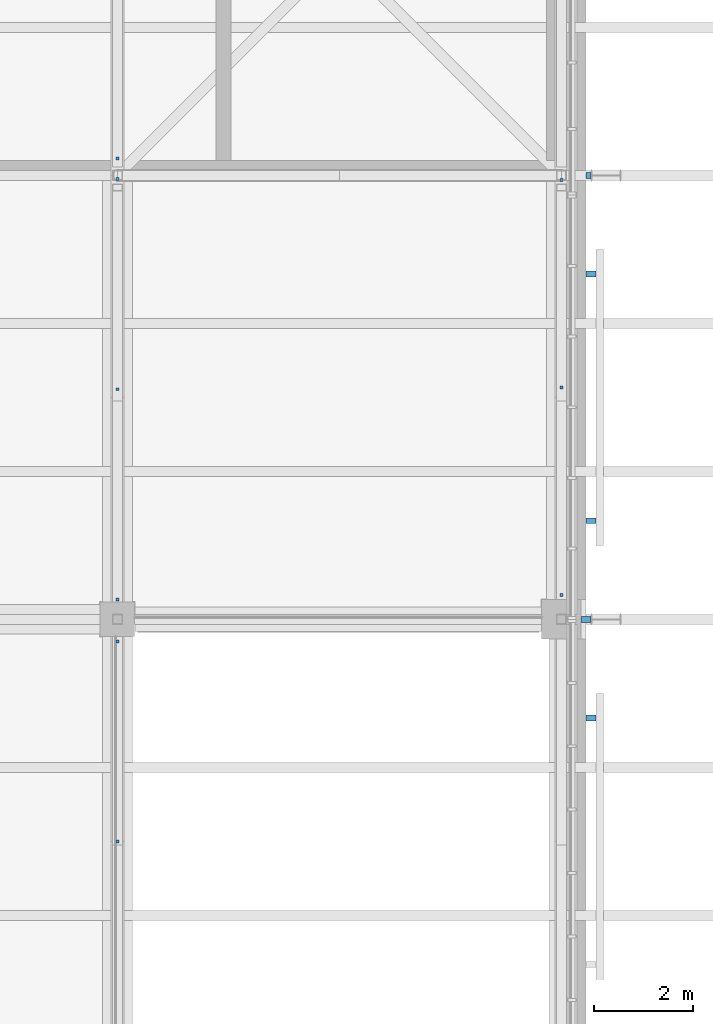
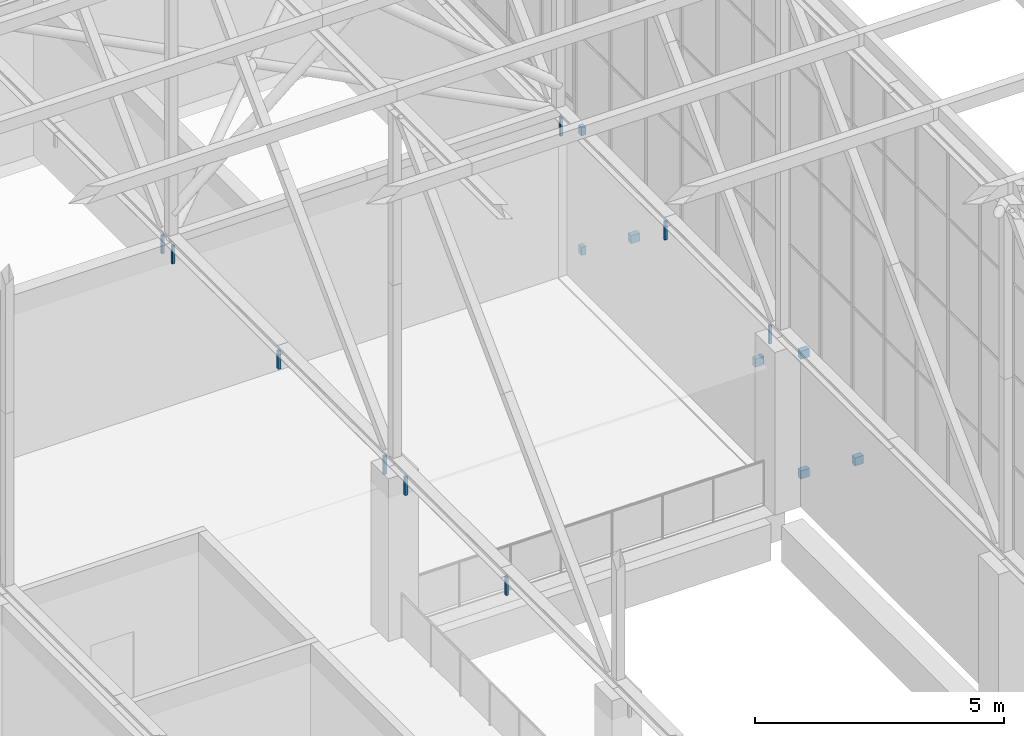
# One storey, part 226 of 646: 16 discrete accessories.
"""IFC4 building model written with IfcOpenShell, lengths in metres."""

from ifc_helpers import new_model, si_unit, direction, frame, origin, origin_2d, place, context, subcontext, project, spatial, rectangle, extrude, material, type_object, element, save


model = new_model("IFC4")

# Units and contexts
model_context = context("Model", 3, precision=1e-05, world=origin(), true_north=direction((0.0, 1.0)))
body_context = subcontext(model_context, "Body", "Model", "MODEL_VIEW")
ifc_project = project(units=[si_unit("LENGTHUNIT", "METRE"), si_unit("AREAUNIT", "SQUARE_METRE"), si_unit("VOLUMEUNIT", "CUBIC_METRE"), si_unit("PLANEANGLEUNIT", "RADIAN"), si_unit("MASSUNIT", "GRAM", prefix="KILO")], contexts=[model_context])

# Site, building, storey
site_placement = place(None, origin())
site = spatial("IfcSite", under=ifc_project, at=site_placement, CompositionType="ELEMENT")
building_placement = place(site_placement, origin())
building = spatial("IfcBuilding", under=site, at=building_placement, Name="Silverbay Arena", CompositionType="ELEMENT")
storey_placement = place(building_placement, frame((0.0, 0.0, 33.5)))
storey = spatial("IfcBuildingStorey", under=building, at=storey_placement, Name="L05", CompositionType="ELEMENT", Elevation=33.5)

# Discrete accessories
ifc_material_1 = material(Name="Steel S355", Category="steel")
discrete_accessory_type_1 = type_object("IfcDiscreteAccessoryType", Name="Ceiling hanger", PredefinedType="BRACKET", material=ifc_material_1)
for number, where, z_axis, x_axis, name in (
    (1, (198.0, 121.5, 3.5498046875), (0.0, 0.0, 1.0), (1.0, 0.0, 0.0), "Ceiling hanger"),
    (2, (198.0, 125.554931640625, 3.5498046875), (0.0, 0.0, 1.0), (1.0, 0.0, 0.0), "Ceiling hanger"),
    (3, (198.0, 126.39990234375, 3.5498046875), (0.0, 0.0, 1.0), (1.0, 0.0, 0.0), "Ceiling hanger"),
    (4, (198.0, 130.6650390625, 3.5498046875), (0.0, 0.0, 1.0), (1.0, 0.0, 0.0), "Ceiling hanger"),
    (5, (198.0, 134.929931640625, 3.5498046875), (0.0, 0.0, 1.0), (1.0, 0.0, 0.0), "Ceiling hanger"),
    (6, (207.0, 126.4951171875, 3.5498046875), (0.0, 0.0, 1.0), (1.0, 0.0, 0.0), "Ceiling hanger"),
    (7, (207.0, 130.699951171875, 3.5498046875), (0.0, 0.0, 1.0), (1.0, 0.0, 0.0), "Ceiling hanger"),
    (8, (207.0, 134.905029296875, 3.5498046875), (0.0, 0.0, 1.0), (1.0, 0.0, 0.0), "Ceiling hanger"),
    (9, (198.0, 135.340087890625, 3.5498046875), (0.0, 0.0, 1.0), (1.0, 0.0, 0.0), "Ceiling hanger"),
):
    element("IfcDiscreteAccessory", number, at=place(storey_placement, frame(where, z_axis=z_axis, x_axis=x_axis)), inside=storey, type_object=discrete_accessory_type_1, Name=name, PredefinedType="BRACKET", context=body_context, shape_type="SweptSolid", body=[
        extrude(rectangle(XDim=0.06005859375, YDim=0.06005859375, at=origin_2d()), origin(), (0.0, 0.0, 1.0), 0.449951171875),
    ])
ifc_material_2 = material(Name="Steel S355", Category="steel")
discrete_accessory_type_2 = type_object("IfcDiscreteAccessoryType", Name="Steel bracket plate", PredefinedType="BRACKET", material=ifc_material_2)
for number, where, z_axis, x_axis, name in (
    (10, (207.60009765625, 124.0, 1.89990234375), (0.0, 0.0, 1.0), (0.0, 1.0, 0.0), "Louvre support bracket"),
    (11, (207.60009765625, 128.0, 1.89990234375), (0.0, 0.0, 1.0), (0.0, 1.0, 0.0), "Louvre support bracket"),
    (12, (207.60009765625, 133.0, 1.89990234375), (0.0, 0.0, 1.0), (0.0, 1.0, 0.0), "Louvre support bracket"),
):
    element("IfcDiscreteAccessory", number, at=place(storey_placement, frame(where, z_axis=z_axis, x_axis=x_axis)), inside=storey, type_object=discrete_accessory_type_2, Name=name, PredefinedType="BRACKET", context=body_context, shape_type="SweptSolid", body=[
        extrude(rectangle(XDim=0.1201171875, YDim=0.199951171875, at=origin_2d()), origin(), (0.0, 0.0, 1.0), 0.199951171875),
    ])
for number, where, z_axis, x_axis, name in (
    (13, (207.5, 126.0, 0.39990234375), (0.0, 0.0, 1.0), (1.0, 0.0, 0.0), "Fin bracket"),
    (14, (207.5, 126.0, 3.33984375), (0.0, 0.0, 1.0), (1.0, 0.0, 0.0), "Fin bracket"),
):
    element("IfcDiscreteAccessory", number, at=place(storey_placement, frame(where, z_axis=z_axis, x_axis=x_axis)), inside=storey, type_object=discrete_accessory_type_2, Name=name, PredefinedType="BRACKET", context=body_context, shape_type="SweptSolid", body=[
        extrude(rectangle(XDim=0.199951171875, YDim=0.1201171875, at=origin_2d()), origin(), (0.0, 0.0, 1.0), 0.199951171875),
    ])
for number, where, z_axis, x_axis, name in (
    (15, (207.550048828125, 135.0, 0.39990234375), (0.0, 0.0, 1.0), (1.0, 0.0, 0.0), "Fin bracket"),
    (16, (207.550048828125, 135.0, 3.33984375), (0.0, 0.0, 1.0), (1.0, 0.0, 0.0), "Fin bracket"),
):
    element("IfcDiscreteAccessory", number, at=place(storey_placement, frame(where, z_axis=z_axis, x_axis=x_axis)), inside=storey, type_object=discrete_accessory_type_2, Name=name, PredefinedType="BRACKET", context=body_context, shape_type="SweptSolid", body=[
        extrude(rectangle(XDim=0.10009765625, YDim=0.1201171875, at=origin_2d()), origin(), (0.0, 0.0, 1.0), 0.199951171875),
    ])

save(model, "model.ifc")
